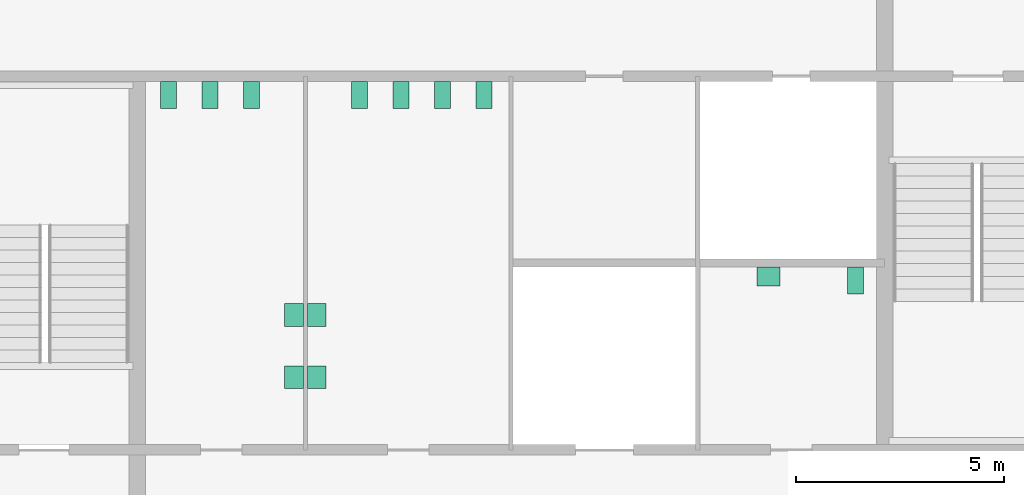
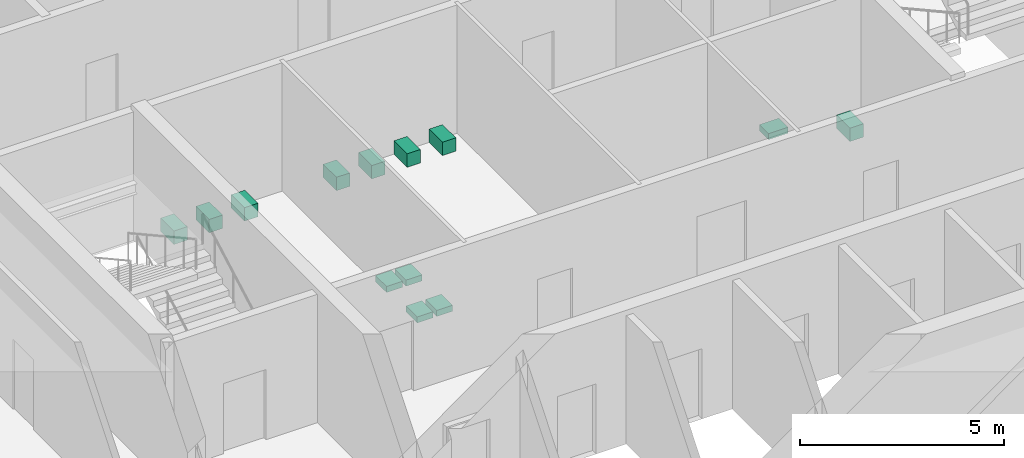
# One storey, part 12 of 12: 13 sanitary terminals.
"""IFC4 building model written with IfcOpenShell, lengths in metres."""

from ifc_helpers import new_model, si_unit, direction, frame, origin, origin_2d, place, context, subcontext, project, spatial, rectangle, extrude, material, type_object, element, save


model = new_model("IFC4")

# Units and contexts
model_context = context("Model", 3, precision=1e-05, world=origin(), true_north=direction((0.0, 1.0)))
body_context = subcontext(model_context, "Body", "Model", "MODEL_VIEW")
ifc_project = project(units=[si_unit("LENGTHUNIT", "METRE"), si_unit("AREAUNIT", "SQUARE_METRE"), si_unit("VOLUMEUNIT", "CUBIC_METRE"), si_unit("PLANEANGLEUNIT", "RADIAN"), si_unit("MASSUNIT", "GRAM", prefix="KILO")], contexts=[model_context])

# Site, building, storey
site_placement = place(None, origin())
site = spatial("IfcSite", under=ifc_project, at=site_placement, CompositionType="ELEMENT")
building_placement = place(site_placement, origin())
building = spatial("IfcBuilding", under=site, at=building_placement, Name="Corais Broadcast Tower", CompositionType="ELEMENT")
storey_placement = place(building_placement, frame((0.0, 0.0, 163.60009765625)))
storey = spatial("IfcBuildingStorey", under=building, at=storey_placement, Name="L37", CompositionType="ELEMENT", Elevation=163.60009765625)

# Sanitary terminals
ifc_material_1 = material(Name="Vitreous china", Category="ceramic")
sanitary_terminal_type_1 = type_object("IfcSanitaryTerminalType", Name="WC pan 380x650", PredefinedType="TOILETPAN", material=ifc_material_1)
for number, where, z_axis, x_axis, name in (
    (1, (18.75, 31.050048828125, 0.0), (0.0, 0.0, 1.0), (1.0, 0.0, 0.0), "SW1 WC pan, male toilets L37"),
    (2, (19.75, 31.050048828125, 0.0), (0.0, 0.0, 1.0), (1.0, 0.0, 0.0), "SW1 WC pan, male toilets L37"),
    (3, (20.75, 31.050048828125, 0.0), (0.0, 0.0, 1.0), (1.0, 0.0, 0.0), "SW1 WC pan, male toilets L37"),
    (4, (23.35009765625, 31.050048828125, 0.0), (0.0, 0.0, 1.0), (1.0, 0.0, 0.0), "SW1 WC pan, female toilets L37"),
    (5, (24.35009765625, 31.050048828125, 0.0), (0.0, 0.0, 1.0), (1.0, 0.0, 0.0), "SW1 WC pan, female toilets L37"),
    (6, (25.35009765625, 31.050048828125, 0.0), (0.0, 0.0, 1.0), (1.0, 0.0, 0.0), "SW1 WC pan, female toilets L37"),
    (7, (26.35009765625, 31.050048828125, 0.0), (0.0, 0.0, 1.0), (1.0, 0.0, 0.0), "SW1 WC pan, female toilets L37"),
    (8, (35.300048828125, 26.574951171875, 0.0), (0.0, 0.0, 1.0), (1.0, 0.0, 0.0), "SW1 WC pan, accessible WC L37"),
):
    element("IfcSanitaryTerminal", number, at=place(storey_placement, frame(where, z_axis=z_axis, x_axis=x_axis)), inside=storey, type_object=sanitary_terminal_type_1, Name=name, PredefinedType="TOILETPAN", context=body_context, shape_type="SweptSolid", body=[
        extrude(rectangle(XDim=0.3798828125, YDim=0.64990234375, at=origin_2d()), origin(), (0.0, 0.0, 1.0), 0.39990234375),
    ])
ifc_material_2 = material(Name="Vitreous china", Category="ceramic")
sanitary_terminal_type_2 = type_object("IfcSanitaryTerminalType", Name="Wash basin 550x450", PredefinedType="WASHHANDBASIN", material=ifc_material_2)
for number, where, z_axis, x_axis, name in (
    (9, (21.77490234375, 24.25, 0.69970703125), (0.0, 0.0, 1.0), (1.0, 0.0, 0.0), "WB1 wash basin, male toilets L37"),
    (10, (21.77490234375, 25.75, 0.69970703125), (0.0, 0.0, 1.0), (1.0, 0.0, 0.0), "WB1 wash basin, male toilets L37"),
    (11, (22.324951171875, 24.25, 0.69970703125), (0.0, 0.0, 1.0), (1.0, 0.0, 0.0), "WB1 wash basin, female toilets L37"),
    (12, (22.324951171875, 25.75, 0.69970703125), (0.0, 0.0, 1.0), (1.0, 0.0, 0.0), "WB1 wash basin, female toilets L37"),
):
    element("IfcSanitaryTerminal", number, at=place(storey_placement, frame(where, z_axis=z_axis, x_axis=x_axis)), inside=storey, type_object=sanitary_terminal_type_2, Name=name, PredefinedType="WASHHANDBASIN", context=body_context, shape_type="SweptSolid", body=[
        extrude(rectangle(XDim=0.449951171875, YDim=0.550048828125, at=origin_2d()), origin(), (0.0, 0.0, 1.0), 0.179931640625),
    ])
sanitary_terminal_placement = place(storey_placement, frame((33.199951171875, 26.675048828125, 0.69970703125), z_axis=(0.0, 0.0, 1.0), x_axis=(1.0, 0.0, 0.0)))
element("IfcSanitaryTerminal", 13, at=sanitary_terminal_placement, inside=storey, type_object=sanitary_terminal_type_2, Name="WB1 wash basin, accessible WC L37", PredefinedType="WASHHANDBASIN", context=body_context, shape_type="SweptSolid", body=[
    extrude(rectangle(XDim=0.550048828125, YDim=0.449951171875, at=origin_2d()), origin(), (0.0, 0.0, 1.0), 0.179931640625),
])

save(model, "model.ifc")
